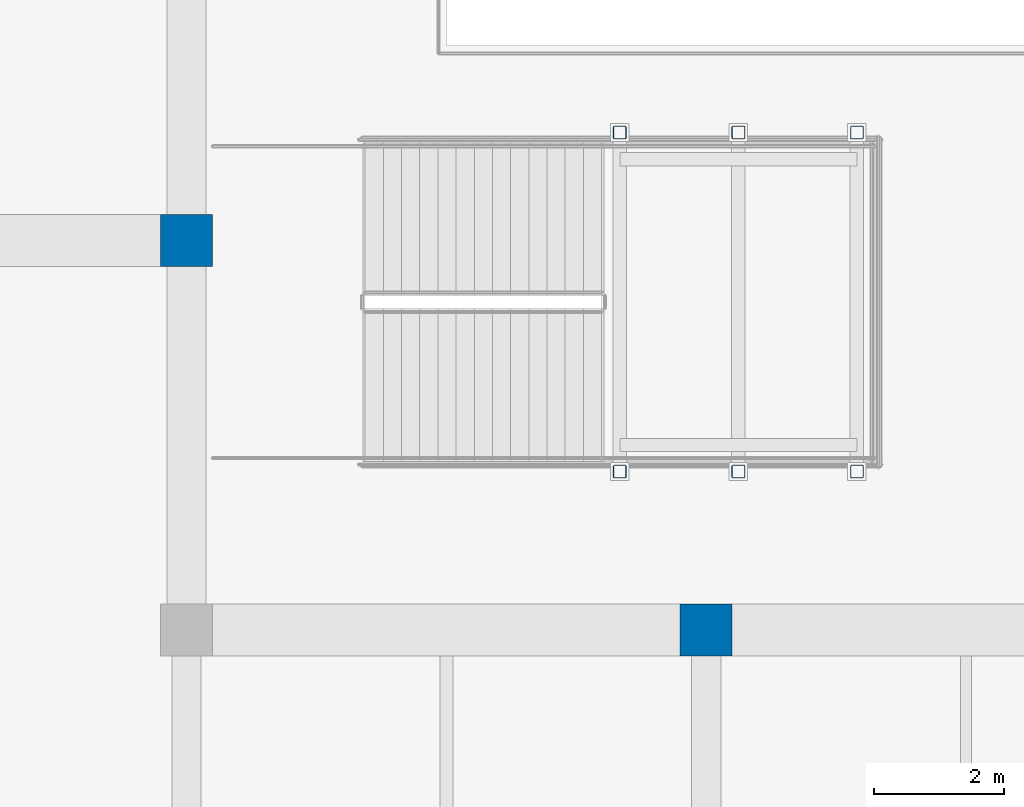
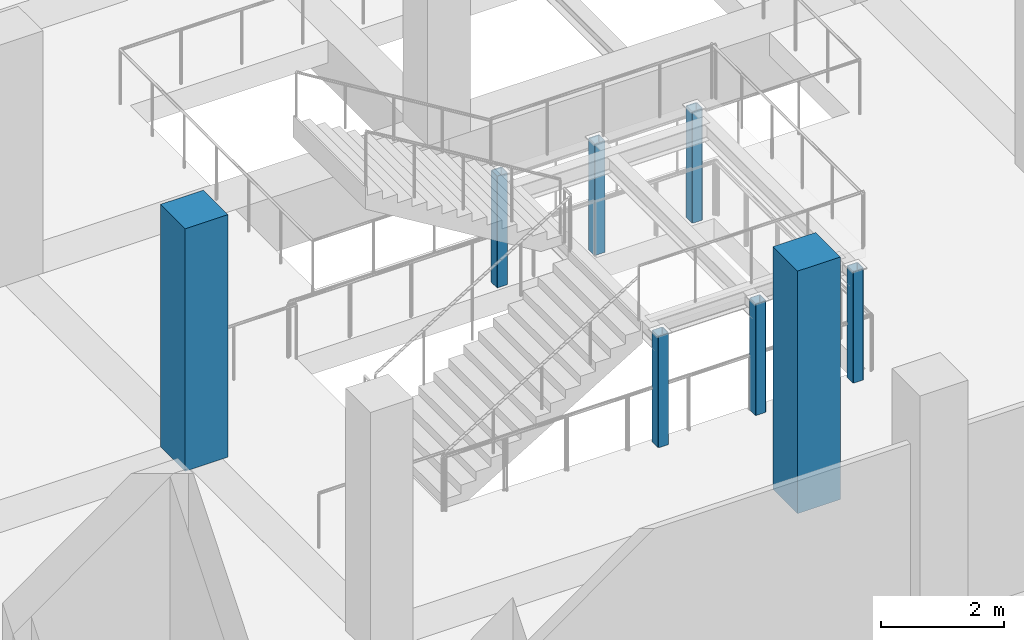
# One storey, part 5 of 36: 8 columns.
"""IFC4 building model written with IfcOpenShell, lengths in metres."""

from ifc_helpers import new_model, si_unit, direction, frame, origin, origin_2d, place, context, subcontext, project, spatial, rectangle, hollow_rectangle, extrude, material, material_profile, profile_set, type_object, element, save


model = new_model("IFC4")

# Units and contexts
model_context = context("Model", 3, precision=1e-05, world=origin(), true_north=direction((0.0, 1.0)))
body_context = subcontext(model_context, "Body", "Model", "MODEL_VIEW")
ifc_project = project(units=[si_unit("LENGTHUNIT", "METRE"), si_unit("AREAUNIT", "SQUARE_METRE"), si_unit("VOLUMEUNIT", "CUBIC_METRE"), si_unit("PLANEANGLEUNIT", "RADIAN"), si_unit("MASSUNIT", "GRAM", prefix="KILO")], contexts=[model_context])

# Site, building, storey
site_placement = place(None, origin())
site = spatial("IfcSite", under=ifc_project, at=site_placement, CompositionType="ELEMENT")
building_placement = place(site_placement, origin())
building = spatial("IfcBuilding", under=site, at=building_placement, Name="Verrall Gate Interchange", CompositionType="ELEMENT")
storey_placement = place(building_placement, frame((0.0, 0.0, -4.800048828125)))
storey = spatial("IfcBuildingStorey", under=building, at=storey_placement, Name="B1", CompositionType="ELEMENT", Elevation=-4.800048828125)

# Columns
ifc_material_1 = material(Name="Concrete CSA A23.1 40 MPa (Class N)", Category="concrete")
ifc_material_profile_1 = material_profile(ifc_material_1, rectangle(XDim=0.800048828125, YDim=0.800048828125, at=origin_2d()), Name="RC800x800")
ifc_profile_set_1 = profile_set([ifc_material_profile_1], Name="Concrete CSA A23.1 40 MPa (Class N)")
column_type_1 = type_object("IfcColumnType", Name="C-02 Column RC800x800", PredefinedType="COLUMN", material=ifc_profile_set_1)
for number, where, z_axis, x_axis, name in (
    (1, (52.0, 22.0, 0.0), (0.0, 0.0, 1.0), (1.0, 0.0, 0.0), "B1 Column COL-B1-0881 (C-02)"),
    (2, (60.0, 16.0, 0.0), (0.0, 0.0, 1.0), (1.0, 0.0, 0.0), "B1 Column COL-B1-0915 (C-02)"),
):
    element("IfcColumn", number, at=place(storey_placement, frame(where, z_axis=z_axis, x_axis=x_axis)), inside=storey, type_object=column_type_1, Name=name, PredefinedType="COLUMN", context=body_context, shape_type="SweptSolid", body=[
        extrude(rectangle(XDim=0.800048828125, YDim=0.800048828125, at=origin_2d()), origin(), (0.0, 0.0, 1.0), 4.800048828125),
    ])
ifc_material_2 = material(Name="Structural Steel CSA G40.21 350W", Category="steel")
ifc_material_profile_2 = material_profile(ifc_material_2, hollow_rectangle(XDim=0.202880859375, YDim=0.202880859375, WallThickness=0.009521484375, InnerFilletRadius=0.009521484375, OuterFilletRadius=0.01904296875, at=origin_2d()), Name="HSS203x203x9.5")
ifc_profile_set_2 = profile_set([ifc_material_profile_2], Name="Structural Steel CSA G40.21 350W")
column_type_2 = type_object("IfcColumnType", Name="C-14 Column HSS203x203x9.5", PredefinedType="COLUMN", material=ifc_profile_set_2)
for number, where, z_axis, x_axis, name in (
    (3, (58.669921875, 18.43994140625, 0.0), (0.0, 0.0, 1.0), (1.0, 0.0, 0.0), "B1 ST-10 Landing Cradle Column"),
    (4, (58.669921875, 23.659912109375, 0.0), (0.0, 0.0, 1.0), (1.0, 0.0, 0.0), "B1 ST-10 Landing Cradle Column"),
    (5, (60.4951171875, 18.43994140625, 0.0), (0.0, 0.0, 1.0), (1.0, 0.0, 0.0), "B1 ST-10 Landing Cradle Column"),
    (6, (60.4951171875, 23.659912109375, 0.0), (0.0, 0.0, 1.0), (1.0, 0.0, 0.0), "B1 ST-10 Landing Cradle Column"),
    (7, (62.320068359375, 18.43994140625, 0.0), (0.0, 0.0, 1.0), (1.0, 0.0, 0.0), "B1 ST-10 Landing Cradle Column"),
    (8, (62.320068359375, 23.659912109375, 0.0), (0.0, 0.0, 1.0), (1.0, 0.0, 0.0), "B1 ST-10 Landing Cradle Column"),
):
    element("IfcColumn", number, at=place(storey_placement, frame(where, z_axis=z_axis, x_axis=x_axis)), inside=storey, type_object=column_type_2, Name=name, PredefinedType="COLUMN", context=body_context, shape_type="SweptSolid", body=[
        extrude(hollow_rectangle(XDim=0.202880859375, YDim=0.202880859375, WallThickness=0.009521484375, InnerFilletRadius=0.009521484375, OuterFilletRadius=0.01904296875, at=origin_2d()), origin(), (0.0, 0.0, 1.0), 2.2099609375),
    ])

save(model, "model.ifc")
